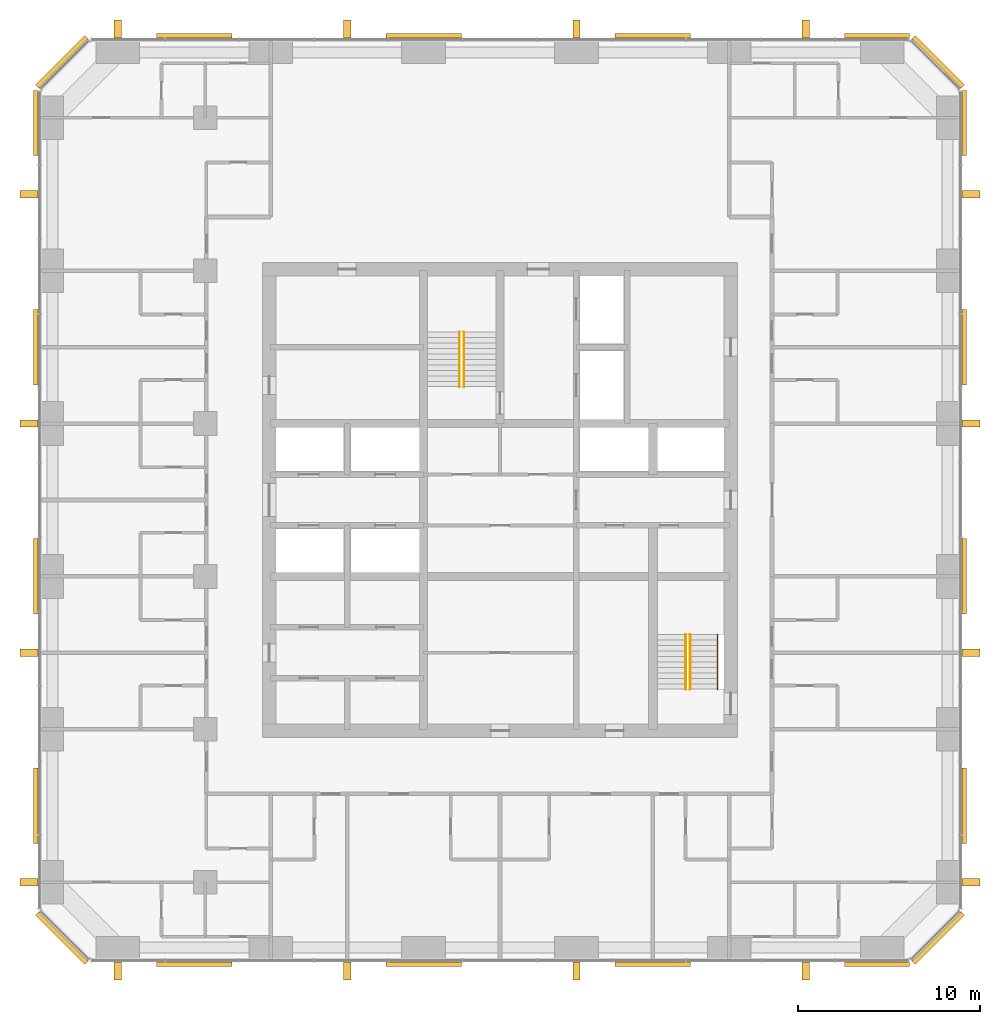
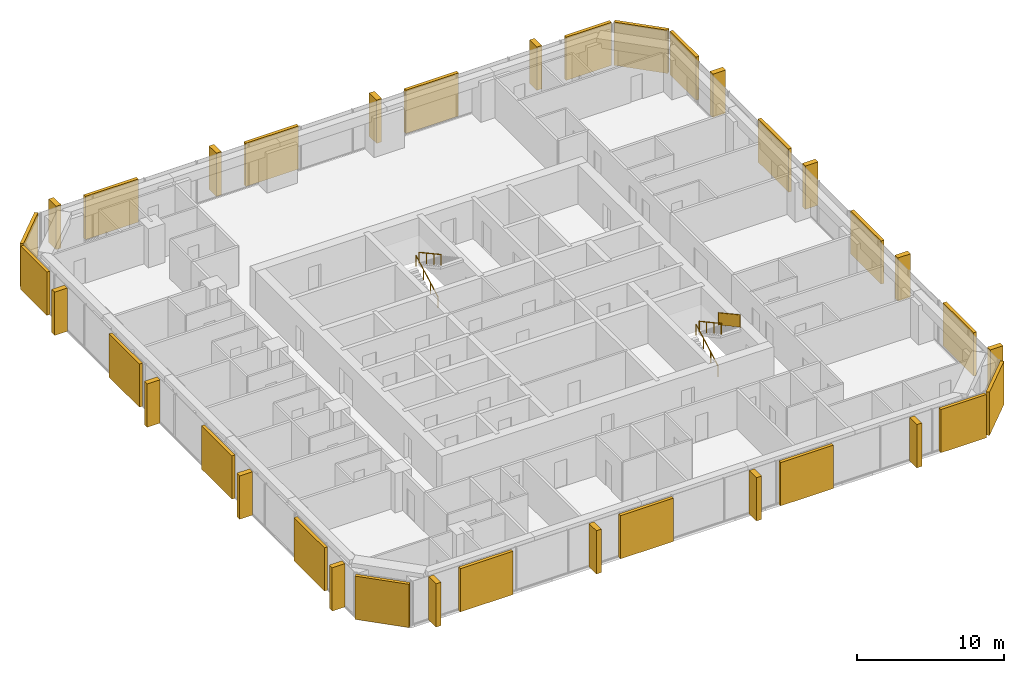
# One storey, part 13 of 13: 20 coverings, 16 shading devices, 5 railings.
"""IFC4 building model written with IfcOpenShell, lengths in metres."""

from ifc_helpers import new_model, si_unit, direction, frame, origin, origin_2d, place, context, subcontext, project, spatial, polyline, rectangle, circle, outline, extrude, material, layer, layer_set, type_object, element, save


model = new_model("IFC4")

# Units and contexts
model_context = context("Model", 3, precision=1e-05, world=origin(), true_north=direction((0.0, 1.0)))
body_context = subcontext(model_context, "Body", "Model", "MODEL_VIEW")
ifc_project = project(units=[si_unit("LENGTHUNIT", "METRE"), si_unit("AREAUNIT", "SQUARE_METRE"), si_unit("VOLUMEUNIT", "CUBIC_METRE"), si_unit("PLANEANGLEUNIT", "RADIAN"), si_unit("MASSUNIT", "GRAM", prefix="KILO")], contexts=[model_context])

# Site, building, storey
site_placement = place(None, origin())
site = spatial("IfcSite", under=ifc_project, at=site_placement, CompositionType="ELEMENT")
building_placement = place(site_placement, origin())
building = spatial("IfcBuilding", under=site, at=building_placement, Name="Dunama Terrace Hotel", CompositionType="ELEMENT")
storey_placement = place(building_placement, frame((0.0, 0.0, 166.199951171875)))
storey = spatial("IfcBuildingStorey", under=building, at=storey_placement, Name="L42", CompositionType="ELEMENT", Elevation=166.199951171875)

# Railings
ifc_material_1 = material(Name="Stainless steel and laminated glass guard", Category="steel")
railing_type_1 = type_object("IfcRailingType", Name="Guard 1100", PredefinedType="GUARDRAIL", material=ifc_material_1)
railing_1_placement = place(storey_placement, frame((41.35009765625, 22.0, 1.963623046875)))
element("IfcRailing", 1, at=railing_1_placement, inside=storey, type_object=railing_type_1, Name="Stair guard ST2 L42", PredefinedType="GUARDRAIL", context=body_context, shape_type="SweptSolid", body=[
    extrude(circle(Radius=0.02392578125, at=origin_2d()), frame((0.0, 0.0, 1.076171875), z_axis=(0.0, -0.877881921179, 0.478877158013), x_axis=(1.0, 0.0, 0.0)), (0.0, 0.0, 1.0), 3.417236328125),
    extrude(circle(Radius=0.02099609375, at=origin_2d()), origin(), (0.0, 0.0, 1.0), 1.052001953125),
    extrude(circle(Radius=0.02099609375, at=origin_2d()), frame((0.0, -1.0, 0.54541015625)), (0.0, 0.0, 1.0), 1.052001953125),
    extrude(circle(Radius=0.02099609375, at=origin_2d()), frame((0.0, -2.0, 1.091064453125)), (0.0, 0.0, 1.0), 1.052001953125),
    extrude(circle(Radius=0.02099609375, at=origin_2d()), frame((0.0, -3.0, 1.636474609375)), (0.0, 0.0, 1.0), 1.052001953125),
    extrude(outline(polyline([(0.0048828125, 0.052734375), (0.9951171875, 0.5927734375), (0.9951171875, 1.618896484375), (0.0048828125, 1.07861328125), (0.0048828125, 0.052734375)])), frame((0.0087890625, 0.0, 0.0), z_axis=(-1.0, 0.0, 0.0), x_axis=(0.0, -1.0, 0.0)), (0.0, 0.0, 1.0), 0.017578125),
    extrude(outline(polyline([(0.0048828125, 0.052734375), (0.9951171875, 0.5927734375), (0.9951171875, 1.618896484375), (0.0048828125, 1.07861328125), (0.0048828125, 0.052734375)])), frame((0.0087890625, -1.0, 0.54541015625), z_axis=(-1.0, 0.0, 0.0), x_axis=(0.0, -1.0, 0.0)), (0.0, 0.0, 1.0), 0.017578125),
    extrude(outline(polyline([(0.0048828125, 0.052734375), (0.9951171875, 0.5927734375), (0.9951171875, 1.618896484375), (0.0048828125, 1.07861328125), (0.0048828125, 0.052734375)])), frame((0.0087890625, -2.0, 1.091064453125), z_axis=(-1.0, 0.0, 0.0), x_axis=(0.0, -1.0, 0.0)), (0.0, 0.0, 1.0), 0.017578125),
])
ifc_material_2 = material(Name="Stainless steel handrail", Category="steel")
railing_type_2 = type_object("IfcRailingType", Name="Stair handrail 900", PredefinedType="HANDRAIL", material=ifc_material_2)
railing_2_placement = place(storey_placement, frame((27.175048828125, 35.625, 0.16357421875)))
element("IfcRailing", 2, at=railing_2_placement, inside=storey, type_object=railing_type_2, Name="Handrail ST1 L42", PredefinedType="HANDRAIL", context=body_context, shape_type="SweptSolid", body=[
    extrude(circle(Radius=0.02392578125, at=origin_2d()), frame((0.0, 0.0, 0.8759765625), z_axis=(0.0, 0.877881921179, 0.478877158013), x_axis=(-1.0, 0.0, 0.0)), (0.0, 0.0, 1.0), 3.417236328125),
    extrude(circle(Radius=0.02099609375, at=origin_2d()), origin(), (0.0, 0.0, 1.0), 0.851806640625),
    extrude(circle(Radius=0.02099609375, at=origin_2d()), frame((0.0, 1.0, 0.54541015625)), (0.0, 0.0, 1.0), 0.851806640625),
    extrude(circle(Radius=0.02099609375, at=origin_2d()), frame((0.0, 2.0, 1.091064453125)), (0.0, 0.0, 1.0), 0.851806640625),
    extrude(circle(Radius=0.02099609375, at=origin_2d()), frame((0.0, 3.0, 1.636474609375)), (0.0, 0.0, 1.0), 0.851806640625),
])
railing_3_placement = place(storey_placement, frame((27.425048828125, 38.625, 1.963623046875)))
element("IfcRailing", 3, at=railing_3_placement, inside=storey, type_object=railing_type_2, Name="Handrail ST1 L42", PredefinedType="HANDRAIL", context=body_context, shape_type="SweptSolid", body=[
    extrude(circle(Radius=0.02392578125, at=origin_2d()), frame((0.0, 0.0, 0.8759765625), z_axis=(0.0, -0.877881921179, 0.478877158013), x_axis=(1.0, 0.0, 0.0)), (0.0, 0.0, 1.0), 3.417236328125),
    extrude(circle(Radius=0.02099609375, at=origin_2d()), origin(), (0.0, 0.0, 1.0), 0.851806640625),
    extrude(circle(Radius=0.02099609375, at=origin_2d()), frame((0.0, -1.0, 0.54541015625)), (0.0, 0.0, 1.0), 0.851806640625),
    extrude(circle(Radius=0.02099609375, at=origin_2d()), frame((0.0, -2.0, 1.091064453125)), (0.0, 0.0, 1.0), 0.851806640625),
    extrude(circle(Radius=0.02099609375, at=origin_2d()), frame((0.0, -3.0, 1.636474609375)), (0.0, 0.0, 1.0), 0.851806640625),
])
railing_4_placement = place(storey_placement, frame((39.60009765625, 19.0, 0.16357421875)))
element("IfcRailing", 4, at=railing_4_placement, inside=storey, type_object=railing_type_2, Name="Handrail ST2 L42", PredefinedType="HANDRAIL", context=body_context, shape_type="SweptSolid", body=[
    extrude(circle(Radius=0.02392578125, at=origin_2d()), frame((0.0, 0.0, 0.8759765625), z_axis=(0.0, 0.877881921179, 0.478877158013), x_axis=(-1.0, 0.0, 0.0)), (0.0, 0.0, 1.0), 3.417236328125),
    extrude(circle(Radius=0.02099609375, at=origin_2d()), origin(), (0.0, 0.0, 1.0), 0.851806640625),
    extrude(circle(Radius=0.02099609375, at=origin_2d()), frame((0.0, 1.0, 0.54541015625)), (0.0, 0.0, 1.0), 0.851806640625),
    extrude(circle(Radius=0.02099609375, at=origin_2d()), frame((0.0, 2.0, 1.091064453125)), (0.0, 0.0, 1.0), 0.851806640625),
    extrude(circle(Radius=0.02099609375, at=origin_2d()), frame((0.0, 3.0, 1.636474609375)), (0.0, 0.0, 1.0), 0.851806640625),
])
railing_5_placement = place(storey_placement, frame((39.85009765625, 22.0, 1.963623046875)))
element("IfcRailing", 5, at=railing_5_placement, inside=storey, type_object=railing_type_2, Name="Handrail ST2 L42", PredefinedType="HANDRAIL", context=body_context, shape_type="SweptSolid", body=[
    extrude(circle(Radius=0.02392578125, at=origin_2d()), frame((0.0, 0.0, 0.8759765625), z_axis=(0.0, -0.877881921179, 0.478877158013), x_axis=(1.0, 0.0, 0.0)), (0.0, 0.0, 1.0), 3.417236328125),
    extrude(circle(Radius=0.02099609375, at=origin_2d()), origin(), (0.0, 0.0, 1.0), 0.851806640625),
    extrude(circle(Radius=0.02099609375, at=origin_2d()), frame((0.0, -1.0, 0.54541015625)), (0.0, 0.0, 1.0), 0.851806640625),
    extrude(circle(Radius=0.02099609375, at=origin_2d()), frame((0.0, -2.0, 1.091064453125)), (0.0, 0.0, 1.0), 0.851806640625),
    extrude(circle(Radius=0.02099609375, at=origin_2d()), frame((0.0, -3.0, 1.636474609375)), (0.0, 0.0, 1.0), 0.851806640625),
])

# Coverings
ifc_material_3 = material(Name="Warm reconstituted stone panel", Category="masonry")
ifc_layer_1 = layer(ifc_material_3, 0.25)
ifc_layer_set_1 = layer_set([ifc_layer_1], Name="Stone diagonal panel")
covering_type = type_object("IfcCoveringType", Name="Stone diagonal panel", PredefinedType="CLADDING", material=ifc_layer_set_1)
for number, where, z_axis, x_axis, name in (
    (6, (12.60009765625, 3.876953125, 0.001953125), (0.0, 0.0, 1.0), (1.0, 0.0, 0.0), "Stone diagonal panel L42"),
    (7, (25.199951171875, 3.876953125, 0.001953125), (0.0, 0.0, 1.0), (1.0, 0.0, 0.0), "Stone diagonal panel L42"),
    (8, (37.800048828125, 3.876953125, 0.001953125), (0.0, 0.0, 1.0), (1.0, 0.0, 0.0), "Stone diagonal panel L42"),
):
    element("IfcCovering", number, at=place(storey_placement, frame(where, z_axis=z_axis, x_axis=x_axis)), inside=storey, type_object=covering_type, Name=name, PredefinedType="CLADDING", context=body_context, shape_type="SweptSolid", body=[
        extrude(rectangle(XDim=4.14990234375, YDim=0.25, at=origin_2d()), origin(), (0.0, 0.0, 1.0), 3.595947265625),
    ])
covering_1_placement = place(storey_placement, frame((50.110107421875, 3.876953125, 0.001953125), z_axis=(0.0, 0.0, 1.0), x_axis=(1.0, 0.0, 0.0)))
element("IfcCovering", 9, at=covering_1_placement, inside=storey, type_object=covering_type, Name="Stone diagonal panel L42", PredefinedType="CLADDING", context=body_context, shape_type="SweptSolid", body=[
    extrude(rectangle(XDim=3.570068359375, YDim=0.25, at=origin_2d()), origin(), (0.0, 0.0, 1.0), 3.595947265625),
])
covering_2_placement = place(storey_placement, frame((53.47900390625, 5.321044921875, 0.001953125), z_axis=(0.0, 0.0, 1.0), x_axis=(0.707106781187, 0.707106781187, 0.0)))
element("IfcCovering", 10, at=covering_2_placement, inside=storey, type_object=covering_type, Name="Stone diagonal panel L42", PredefinedType="CLADDING", context=body_context, shape_type="SweptSolid", body=[
    extrude(rectangle(XDim=3.808349609375, YDim=0.25, at=origin_2d()), origin(), (0.0, 0.0, 1.0), 3.595947265625),
])
for number, where, z_axis, x_axis, name in (
    (11, (54.923095703125, 12.60009765625, 0.001953125), (0.0, 0.0, 1.0), (0.0, 1.0, 0.0), "Stone diagonal panel L42"),
    (12, (54.923095703125, 25.199951171875, 0.001953125), (0.0, 0.0, 1.0), (0.0, 1.0, 0.0), "Stone diagonal panel L42"),
    (13, (54.923095703125, 37.800048828125, 0.001953125), (0.0, 0.0, 1.0), (0.0, 1.0, 0.0), "Stone diagonal panel L42"),
):
    element("IfcCovering", number, at=place(storey_placement, frame(where, z_axis=z_axis, x_axis=x_axis)), inside=storey, type_object=covering_type, Name=name, PredefinedType="CLADDING", context=body_context, shape_type="SweptSolid", body=[
        extrude(rectangle(XDim=4.14990234375, YDim=0.25, at=origin_2d()), origin(), (0.0, 0.0, 1.0), 3.595947265625),
    ])
covering_3_placement = place(storey_placement, frame((54.923095703125, 50.110107421875, 0.001953125), z_axis=(0.0, 0.0, 1.0), x_axis=(0.0, 1.0, 0.0)))
element("IfcCovering", 14, at=covering_3_placement, inside=storey, type_object=covering_type, Name="Stone diagonal panel L42", PredefinedType="CLADDING", context=body_context, shape_type="SweptSolid", body=[
    extrude(rectangle(XDim=3.570068359375, YDim=0.25, at=origin_2d()), origin(), (0.0, 0.0, 1.0), 3.595947265625),
])
covering_4_placement = place(storey_placement, frame((53.47900390625, 53.47900390625, 0.001953125), z_axis=(0.0, 0.0, 1.0), x_axis=(-0.707106781187, 0.707106781187, 0.0)))
element("IfcCovering", 15, at=covering_4_placement, inside=storey, type_object=covering_type, Name="Stone diagonal panel L42", PredefinedType="CLADDING", context=body_context, shape_type="SweptSolid", body=[
    extrude(rectangle(XDim=3.808349609375, YDim=0.25, at=origin_2d()), origin(), (0.0, 0.0, 1.0), 3.595947265625),
])
covering_5_placement = place(storey_placement, frame((50.110107421875, 54.923095703125, 0.001953125), z_axis=(0.0, 0.0, 1.0), x_axis=(-1.0, 0.0, 0.0)))
element("IfcCovering", 16, at=covering_5_placement, inside=storey, type_object=covering_type, Name="Stone diagonal panel L42", PredefinedType="CLADDING", context=body_context, shape_type="SweptSolid", body=[
    extrude(rectangle(XDim=3.570068359375, YDim=0.25, at=origin_2d()), origin(), (0.0, 0.0, 1.0), 3.595947265625),
])
for number, where, z_axis, x_axis, name in (
    (17, (37.800048828125, 54.923095703125, 0.001953125), (0.0, 0.0, 1.0), (-1.0, 0.0, 0.0), "Stone diagonal panel L42"),
    (18, (25.199951171875, 54.923095703125, 0.001953125), (0.0, 0.0, 1.0), (-1.0, 0.0, 0.0), "Stone diagonal panel L42"),
    (19, (12.60009765625, 54.923095703125, 0.001953125), (0.0, 0.0, 1.0), (-1.0, 0.0, 0.0), "Stone diagonal panel L42"),
):
    element("IfcCovering", number, at=place(storey_placement, frame(where, z_axis=z_axis, x_axis=x_axis)), inside=storey, type_object=covering_type, Name=name, PredefinedType="CLADDING", context=body_context, shape_type="SweptSolid", body=[
        extrude(rectangle(XDim=4.14990234375, YDim=0.25, at=origin_2d()), origin(), (0.0, 0.0, 1.0), 3.595947265625),
    ])
covering_6_placement = place(storey_placement, frame((5.321044921875, 53.47900390625, 0.001953125), z_axis=(0.0, 0.0, 1.0), x_axis=(-0.707106781187, -0.707106781187, 0.0)))
element("IfcCovering", 20, at=covering_6_placement, inside=storey, type_object=covering_type, Name="Stone diagonal panel L42", PredefinedType="CLADDING", context=body_context, shape_type="SweptSolid", body=[
    extrude(rectangle(XDim=3.808349609375, YDim=0.25, at=origin_2d()), origin(), (0.0, 0.0, 1.0), 3.595947265625),
])
covering_7_placement = place(storey_placement, frame((3.876953125, 50.110107421875, 0.001953125), z_axis=(0.0, 0.0, 1.0), x_axis=(0.0, -1.0, 0.0)))
element("IfcCovering", 21, at=covering_7_placement, inside=storey, type_object=covering_type, Name="Stone diagonal panel L42", PredefinedType="CLADDING", context=body_context, shape_type="SweptSolid", body=[
    extrude(rectangle(XDim=3.570068359375, YDim=0.25, at=origin_2d()), origin(), (0.0, 0.0, 1.0), 3.595947265625),
])
for number, where, z_axis, x_axis, name in (
    (22, (3.876953125, 37.800048828125, 0.001953125), (0.0, 0.0, 1.0), (0.0, -1.0, 0.0), "Stone diagonal panel L42"),
    (23, (3.876953125, 25.199951171875, 0.001953125), (0.0, 0.0, 1.0), (0.0, -1.0, 0.0), "Stone diagonal panel L42"),
    (24, (3.876953125, 12.60009765625, 0.001953125), (0.0, 0.0, 1.0), (0.0, -1.0, 0.0), "Stone diagonal panel L42"),
):
    element("IfcCovering", number, at=place(storey_placement, frame(where, z_axis=z_axis, x_axis=x_axis)), inside=storey, type_object=covering_type, Name=name, PredefinedType="CLADDING", context=body_context, shape_type="SweptSolid", body=[
        extrude(rectangle(XDim=4.14990234375, YDim=0.25, at=origin_2d()), origin(), (0.0, 0.0, 1.0), 3.595947265625),
    ])
covering_8_placement = place(storey_placement, frame((5.321044921875, 5.321044921875, 0.001953125), z_axis=(0.0, 0.0, 1.0), x_axis=(0.707106781187, -0.707106781187, 0.0)))
element("IfcCovering", 25, at=covering_8_placement, inside=storey, type_object=covering_type, Name="Stone diagonal panel L42", PredefinedType="CLADDING", context=body_context, shape_type="SweptSolid", body=[
    extrude(rectangle(XDim=3.808349609375, YDim=0.25, at=origin_2d()), origin(), (0.0, 0.0, 1.0), 3.595947265625),
])

# Shading devices
ifc_material_4 = material(Name="Warm reconstituted stone fin", Category="masonry")
ifc_layer_2 = layer(ifc_material_4, 0.39990234375)
ifc_layer_set_2 = layer_set([ifc_layer_2], Name="Warm stone fin 400x1000")
shading_device_type = type_object("IfcShadingDeviceType", Name="Warm stone fin 400x1000", PredefinedType="USERDEFINED", material=ifc_layer_set_2)
for number, where, z_axis, x_axis, name in (
    (26, (8.39990234375, 3.52197265625, 0.0), (0.0, 0.0, 1.0), (1.0, 0.0, 0.0), "Stone fin"),
    (27, (21.0, 3.52197265625, 0.0), (0.0, 0.0, 1.0), (1.0, 0.0, 0.0), "Stone fin"),
    (28, (33.60009765625, 3.52197265625, 0.0), (0.0, 0.0, 1.0), (1.0, 0.0, 0.0), "Stone fin"),
    (29, (46.199951171875, 3.52197265625, 0.0), (0.0, 0.0, 1.0), (1.0, 0.0, 0.0), "Stone fin"),
    (30, (55.278076171875, 8.39990234375, 0.0), (0.0, 0.0, 1.0), (0.0, 1.0, 0.0), "Stone fin"),
    (31, (55.278076171875, 21.0, 0.0), (0.0, 0.0, 1.0), (0.0, 1.0, 0.0), "Stone fin"),
    (32, (55.278076171875, 33.60009765625, 0.0), (0.0, 0.0, 1.0), (0.0, 1.0, 0.0), "Stone fin"),
    (33, (55.278076171875, 46.199951171875, 0.0), (0.0, 0.0, 1.0), (0.0, 1.0, 0.0), "Stone fin"),
    (34, (46.199951171875, 55.278076171875, 0.0), (0.0, 0.0, 1.0), (-1.0, 0.0, 0.0), "Stone fin"),
    (35, (33.60009765625, 55.278076171875, 0.0), (0.0, 0.0, 1.0), (-1.0, 0.0, 0.0), "Stone fin"),
    (36, (21.0, 55.278076171875, 0.0), (0.0, 0.0, 1.0), (-1.0, 0.0, 0.0), "Stone fin"),
    (37, (8.39990234375, 55.278076171875, 0.0), (0.0, 0.0, 1.0), (-1.0, 0.0, 0.0), "Stone fin"),
    (38, (3.52197265625, 46.199951171875, 0.0), (0.0, 0.0, 1.0), (0.0, -1.0, 0.0), "Stone fin"),
    (39, (3.52197265625, 33.60009765625, 0.0), (0.0, 0.0, 1.0), (0.0, -1.0, 0.0), "Stone fin"),
    (40, (3.52197265625, 21.0, 0.0), (0.0, 0.0, 1.0), (0.0, -1.0, 0.0), "Stone fin"),
    (41, (3.52197265625, 8.39990234375, 0.0), (0.0, 0.0, 1.0), (0.0, -1.0, 0.0), "Stone fin"),
):
    element("IfcShadingDevice", number, at=place(storey_placement, frame(where, z_axis=z_axis, x_axis=x_axis)), inside=storey, type_object=shading_device_type, Name=name, ObjectType="FIN", PredefinedType="USERDEFINED", context=body_context, shape_type="SweptSolid", body=[
        extrude(rectangle(XDim=0.39990234375, YDim=1.0, at=origin_2d()), origin(), (0.0, 0.0, 1.0), 3.60009765625),
    ])

save(model, "model.ifc")
